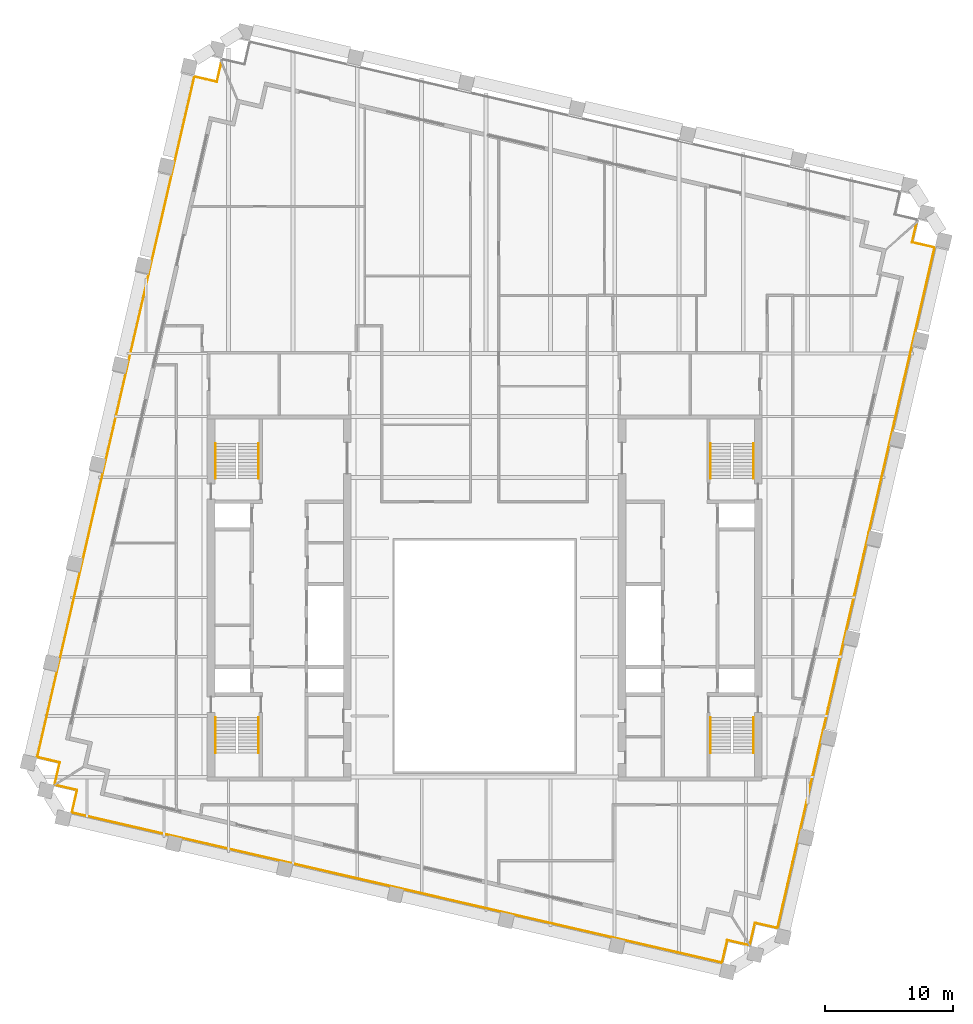
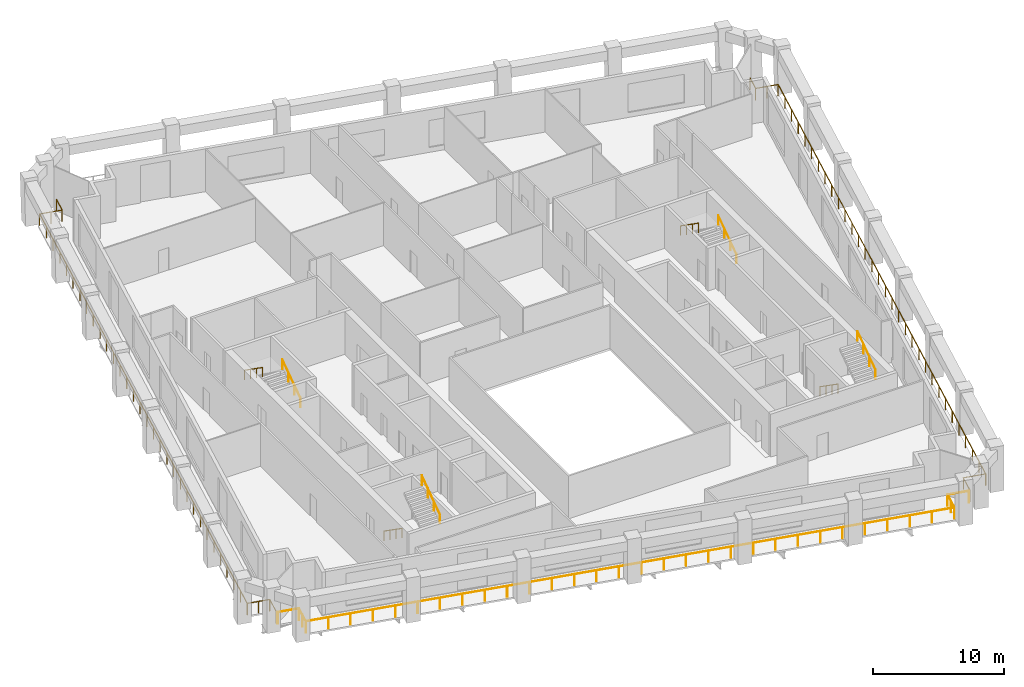
# One storey, part 10 of 11: 11 railings.
"""IFC4 building model written with IfcOpenShell, lengths in metres."""

from ifc_helpers import new_model, si_unit, direction, frame, origin, origin_2d, place, context, subcontext, project, spatial, circle, extrude, material, type_object, element, save


model = new_model("IFC4")

# Units and contexts
model_context = context("Model", 3, precision=1e-05, world=origin(), true_north=direction((0.0, 1.0)))
body_context = subcontext(model_context, "Body", "Model", "MODEL_VIEW")
ifc_project = project(units=[si_unit("LENGTHUNIT", "METRE"), si_unit("AREAUNIT", "SQUARE_METRE"), si_unit("VOLUMEUNIT", "CUBIC_METRE"), si_unit("PLANEANGLEUNIT", "RADIAN"), si_unit("MASSUNIT", "GRAM", prefix="KILO")], contexts=[model_context])

# Site, building, storey
site_placement = place(None, origin())
site = spatial("IfcSite", under=ifc_project, at=site_placement, CompositionType="ELEMENT")
building_placement = place(site_placement, origin())
building = spatial("IfcBuilding", under=site, at=building_placement, Name="Ogive Exchange Tower", CompositionType="ELEMENT")
storey_placement = place(building_placement, frame((0.0, 0.0, 247.199951171875)))
storey = spatial("IfcBuildingStorey", under=building, at=storey_placement, Name="L53", CompositionType="ELEMENT", Elevation=247.199951171875)

# Railings
ifc_material_1 = material(Name="Stainless steel 316", Category="steel")
railing_type_1 = type_object("IfcRailingType", Name="Guard 1100 stainless steel and glass", PredefinedType="GUARDRAIL", material=ifc_material_1)
railing_1_placement = place(storey_placement, frame((20.560546875, -15.527099609375, -0.050048828125)))
element("IfcRailing", 1, at=railing_1_placement, inside=storey, type_object=railing_type_1, Name="Loggia guard 1", PredefinedType="GUARDRAIL", context=body_context, shape_type="SweptSolid", body=[
    extrude(circle(Radius=0.02392578125, at=origin_2d()), frame((0.0, 0.0, 1.076171875), z_axis=(-0.974396013545, 0.224838628327, 0.0), x_axis=(-0.224838628327, -0.974396013545, 0.0)), (0.0, 0.0, 1.0), 1.7080078125),
    extrude(circle(Radius=0.02392578125, at=origin_2d()), frame((-1.664306640625, 0.384033203125, 1.076171875), z_axis=(-0.224879318197, -0.974386623598, 0.0), x_axis=(0.974386623598, -0.224879318197, 0.0)), (0.0, 0.0, 1.0), 1.800048828125),
    extrude(circle(Radius=0.02392578125, at=origin_2d()), frame((-2.069091796875, -1.369873046875, 1.076171875), z_axis=(-0.974370126852, 0.224950785504, 0.0), x_axis=(-0.224950785504, -0.974370126852, 0.0)), (0.0, 0.0, 1.0), 51.960205078125),
    extrude(circle(Radius=0.02392578125, at=origin_2d()), frame((-52.697509765625, 10.318603515625, 1.076171875), z_axis=(0.225008086135, 0.974356896201, 0.0), x_axis=(-0.974356896201, 0.225008086135, 0.0)), (0.0, 0.0, 1.0), 1.800048828125),
    extrude(circle(Radius=0.02392578125, at=origin_2d()), frame((-52.29248046875, 12.072509765625, 1.076171875), z_axis=(-0.974364690374, 0.224974332206, 0.0), x_axis=(-0.224974332206, -0.974364690374, 0.0)), (0.0, 0.0, 1.0), 1.7080078125),
    extrude(circle(Radius=0.02099609375, at=origin_2d()), origin(), (0.0, 0.0, 1.0), 1.052001953125),
    extrude(circle(Radius=0.02099609375, at=origin_2d()), frame((-1.664306640625, 0.384033203125, 0.0)), (0.0, 0.0, 1.0), 1.052001953125),
    extrude(circle(Radius=0.02099609375, at=origin_2d()), frame((-1.86669921875, -0.492919921875, 0.0)), (0.0, 0.0, 1.0), 1.052001953125),
    extrude(circle(Radius=0.02099609375, at=origin_2d()), frame((-2.069091796875, -1.369873046875, 0.0)), (0.0, 0.0, 1.0), 1.052001953125),
    extrude(circle(Radius=0.02099609375, at=origin_2d()), frame((-3.81494140625, -0.966796875, 0.0)), (0.0, 0.0, 1.0), 1.052001953125),
    extrude(circle(Radius=0.02099609375, at=origin_2d()), frame((-5.560791015625, -0.563720703125, 0.0)), (0.0, 0.0, 1.0), 1.052001953125),
    extrude(circle(Radius=0.02099609375, at=origin_2d()), frame((-7.306396484375, -0.16064453125, 0.0)), (0.0, 0.0, 1.0), 1.052001953125),
    extrude(circle(Radius=0.02099609375, at=origin_2d()), frame((-9.05224609375, 0.242431640625, 0.0)), (0.0, 0.0, 1.0), 1.052001953125),
    extrude(circle(Radius=0.02099609375, at=origin_2d()), frame((-10.798095703125, 0.645263671875, 0.0)), (0.0, 0.0, 1.0), 1.052001953125),
    extrude(circle(Radius=0.02099609375, at=origin_2d()), frame((-12.5439453125, 1.04833984375, 0.0)), (0.0, 0.0, 1.0), 1.052001953125),
    extrude(circle(Radius=0.02099609375, at=origin_2d()), frame((-14.289794921875, 1.451416015625, 0.0)), (0.0, 0.0, 1.0), 1.052001953125),
    extrude(circle(Radius=0.02099609375, at=origin_2d()), frame((-16.03564453125, 1.8544921875, 0.0)), (0.0, 0.0, 1.0), 1.052001953125),
    extrude(circle(Radius=0.02099609375, at=origin_2d()), frame((-17.78125, 2.257568359375, 0.0)), (0.0, 0.0, 1.0), 1.052001953125),
    extrude(circle(Radius=0.02099609375, at=origin_2d()), frame((-19.527099609375, 2.66064453125, 0.0)), (0.0, 0.0, 1.0), 1.052001953125),
    extrude(circle(Radius=0.02099609375, at=origin_2d()), frame((-21.27294921875, 3.063720703125, 0.0)), (0.0, 0.0, 1.0), 1.052001953125),
    extrude(circle(Radius=0.02099609375, at=origin_2d()), frame((-23.018798828125, 3.466796875, 0.0)), (0.0, 0.0, 1.0), 1.052001953125),
    extrude(circle(Radius=0.02099609375, at=origin_2d()), frame((-24.7646484375, 3.869873046875, 0.0)), (0.0, 0.0, 1.0), 1.052001953125),
    extrude(circle(Radius=0.02099609375, at=origin_2d()), frame((-26.510498046875, 4.27294921875, 0.0)), (0.0, 0.0, 1.0), 1.052001953125),
    extrude(circle(Radius=0.02099609375, at=origin_2d()), frame((-28.256103515625, 4.67578125, 0.0)), (0.0, 0.0, 1.0), 1.052001953125),
    extrude(circle(Radius=0.02099609375, at=origin_2d()), frame((-30.001953125, 5.078857421875, 0.0)), (0.0, 0.0, 1.0), 1.052001953125),
    extrude(circle(Radius=0.02099609375, at=origin_2d()), frame((-31.747802734375, 5.48193359375, 0.0)), (0.0, 0.0, 1.0), 1.052001953125),
    extrude(circle(Radius=0.02099609375, at=origin_2d()), frame((-33.49365234375, 5.885009765625, 0.0)), (0.0, 0.0, 1.0), 1.052001953125),
    extrude(circle(Radius=0.02099609375, at=origin_2d()), frame((-35.239501953125, 6.2880859375, 0.0)), (0.0, 0.0, 1.0), 1.052001953125),
    extrude(circle(Radius=0.02099609375, at=origin_2d()), frame((-36.9853515625, 6.691162109375, 0.0)), (0.0, 0.0, 1.0), 1.052001953125),
    extrude(circle(Radius=0.02099609375, at=origin_2d()), frame((-38.73095703125, 7.09423828125, 0.0)), (0.0, 0.0, 1.0), 1.052001953125),
    extrude(circle(Radius=0.02099609375, at=origin_2d()), frame((-40.476806640625, 7.497314453125, 0.0)), (0.0, 0.0, 1.0), 1.052001953125),
    extrude(circle(Radius=0.02099609375, at=origin_2d()), frame((-42.22265625, 7.900390625, 0.0)), (0.0, 0.0, 1.0), 1.052001953125),
    extrude(circle(Radius=0.02099609375, at=origin_2d()), frame((-43.968505859375, 8.303466796875, 0.0)), (0.0, 0.0, 1.0), 1.052001953125),
    extrude(circle(Radius=0.02099609375, at=origin_2d()), frame((-45.71435546875, 8.706298828125, 0.0)), (0.0, 0.0, 1.0), 1.052001953125),
    extrude(circle(Radius=0.02099609375, at=origin_2d()), frame((-47.460205078125, 9.109375, 0.0)), (0.0, 0.0, 1.0), 1.052001953125),
    extrude(circle(Radius=0.02099609375, at=origin_2d()), frame((-49.205810546875, 9.512451171875, 0.0)), (0.0, 0.0, 1.0), 1.052001953125),
    extrude(circle(Radius=0.02099609375, at=origin_2d()), frame((-50.95166015625, 9.91552734375, 0.0)), (0.0, 0.0, 1.0), 1.052001953125),
    extrude(circle(Radius=0.02099609375, at=origin_2d()), frame((-52.697509765625, 10.318603515625, 0.0)), (0.0, 0.0, 1.0), 1.052001953125),
    extrude(circle(Radius=0.02099609375, at=origin_2d()), frame((-52.4951171875, 11.195556640625, 0.0)), (0.0, 0.0, 1.0), 1.052001953125),
    extrude(circle(Radius=0.02099609375, at=origin_2d()), frame((-52.29248046875, 12.072509765625, 0.0)), (0.0, 0.0, 1.0), 1.052001953125),
    extrude(circle(Radius=0.02099609375, at=origin_2d()), frame((-53.956787109375, 12.456787109375, 0.0)), (0.0, 0.0, 1.0), 1.052001953125),
])
railing_2_placement = place(storey_placement, frame((-33.465087890625, -2.960205078125, -0.050048828125)))
element("IfcRailing", 2, at=railing_2_placement, inside=storey, type_object=railing_type_1, Name="Loggia guard 2", PredefinedType="GUARDRAIL", context=body_context, shape_type="SweptSolid", body=[
    extrude(circle(Radius=0.02392578125, at=origin_2d()), frame((0.0, 0.0, 1.076171875), z_axis=(0.224974332206, 0.974364690374, 0.0), x_axis=(-0.974364690374, 0.224974332206, 0.0)), (0.0, 0.0, 1.0), 1.7080078125),
    extrude(circle(Radius=0.02392578125, at=origin_2d()), frame((0.38427734375, 1.664306640625, 1.076171875), z_axis=(-0.974356896201, 0.225008086135, 0.0), x_axis=(-0.225008086135, -0.974356896201, 0.0)), (0.0, 0.0, 1.0), 1.800048828125),
    extrude(circle(Radius=0.02392578125, at=origin_2d()), frame((-1.36962890625, 2.0693359375, 1.076171875), z_axis=(0.224949006844, 0.974370537486, 0.0), x_axis=(-0.974370537486, 0.224949006844, 0.0)), (0.0, 0.0, 1.0), 54.38720703125),
    extrude(circle(Radius=0.02392578125, at=origin_2d()), frame((10.86474609375, 55.062744140625, 1.076171875), z_axis=(0.974356896201, -0.225008086135, 0.0), x_axis=(0.225008086135, 0.974356896201, 0.0)), (0.0, 0.0, 1.0), 1.800048828125),
    extrude(circle(Radius=0.02392578125, at=origin_2d()), frame((12.61865234375, 54.65771484375, 1.076171875), z_axis=(0.224895925573, 0.974382790622, 0.0), x_axis=(-0.974382790622, 0.224895925573, 0.0)), (0.0, 0.0, 1.0), 1.46875),
    extrude(circle(Radius=0.02099609375, at=origin_2d()), origin(), (0.0, 0.0, 1.0), 1.052001953125),
    extrude(circle(Radius=0.02099609375, at=origin_2d()), frame((0.38427734375, 1.664306640625, 0.0)), (0.0, 0.0, 1.0), 1.052001953125),
    extrude(circle(Radius=0.02099609375, at=origin_2d()), frame((-0.49267578125, 1.86669921875, 0.0)), (0.0, 0.0, 1.0), 1.052001953125),
    extrude(circle(Radius=0.02099609375, at=origin_2d()), frame((-1.36962890625, 2.0693359375, 0.0)), (0.0, 0.0, 1.0), 1.052001953125),
    extrude(circle(Radius=0.02099609375, at=origin_2d()), frame((-0.974853515625, 3.77880859375, 0.0)), (0.0, 0.0, 1.0), 1.052001953125),
    extrude(circle(Radius=0.02099609375, at=origin_2d()), frame((-0.580322265625, 5.48828125, 0.0)), (0.0, 0.0, 1.0), 1.052001953125),
    extrude(circle(Radius=0.02099609375, at=origin_2d()), frame((-0.185546875, 7.19775390625, 0.0)), (0.0, 0.0, 1.0), 1.052001953125),
    extrude(circle(Radius=0.02099609375, at=origin_2d()), frame((0.208984375, 8.9072265625, 0.0)), (0.0, 0.0, 1.0), 1.052001953125),
    extrude(circle(Radius=0.02099609375, at=origin_2d()), frame((0.603759765625, 10.61669921875, 0.0)), (0.0, 0.0, 1.0), 1.052001953125),
    extrude(circle(Radius=0.02099609375, at=origin_2d()), frame((0.998291015625, 12.326171875, 0.0)), (0.0, 0.0, 1.0), 1.052001953125),
    extrude(circle(Radius=0.02099609375, at=origin_2d()), frame((1.39306640625, 14.03564453125, 0.0)), (0.0, 0.0, 1.0), 1.052001953125),
    extrude(circle(Radius=0.02099609375, at=origin_2d()), frame((1.78759765625, 15.7451171875, 0.0)), (0.0, 0.0, 1.0), 1.052001953125),
    extrude(circle(Radius=0.02099609375, at=origin_2d()), frame((2.182373046875, 17.45458984375, 0.0)), (0.0, 0.0, 1.0), 1.052001953125),
    extrude(circle(Radius=0.02099609375, at=origin_2d()), frame((2.576904296875, 19.1640625, 0.0)), (0.0, 0.0, 1.0), 1.052001953125),
    extrude(circle(Radius=0.02099609375, at=origin_2d()), frame((2.9716796875, 20.87353515625, 0.0)), (0.0, 0.0, 1.0), 1.052001953125),
    extrude(circle(Radius=0.02099609375, at=origin_2d()), frame((3.3662109375, 22.5830078125, 0.0)), (0.0, 0.0, 1.0), 1.052001953125),
    extrude(circle(Radius=0.02099609375, at=origin_2d()), frame((3.760986328125, 24.29248046875, 0.0)), (0.0, 0.0, 1.0), 1.052001953125),
    extrude(circle(Radius=0.02099609375, at=origin_2d()), frame((4.155517578125, 26.001953125, 0.0)), (0.0, 0.0, 1.0), 1.052001953125),
    extrude(circle(Radius=0.02099609375, at=origin_2d()), frame((4.55029296875, 27.71142578125, 0.0)), (0.0, 0.0, 1.0), 1.052001953125),
    extrude(circle(Radius=0.02099609375, at=origin_2d()), frame((4.94482421875, 29.420654296875, 0.0)), (0.0, 0.0, 1.0), 1.052001953125),
    extrude(circle(Radius=0.02099609375, at=origin_2d()), frame((5.339599609375, 31.130126953125, 0.0)), (0.0, 0.0, 1.0), 1.052001953125),
    extrude(circle(Radius=0.02099609375, at=origin_2d()), frame((5.734130859375, 32.839599609375, 0.0)), (0.0, 0.0, 1.0), 1.052001953125),
    extrude(circle(Radius=0.02099609375, at=origin_2d()), frame((6.12890625, 34.549072265625, 0.0)), (0.0, 0.0, 1.0), 1.052001953125),
    extrude(circle(Radius=0.02099609375, at=origin_2d()), frame((6.5234375, 36.258544921875, 0.0)), (0.0, 0.0, 1.0), 1.052001953125),
    extrude(circle(Radius=0.02099609375, at=origin_2d()), frame((6.918212890625, 37.968017578125, 0.0)), (0.0, 0.0, 1.0), 1.052001953125),
    extrude(circle(Radius=0.02099609375, at=origin_2d()), frame((7.312744140625, 39.677490234375, 0.0)), (0.0, 0.0, 1.0), 1.052001953125),
    extrude(circle(Radius=0.02099609375, at=origin_2d()), frame((7.70751953125, 41.386962890625, 0.0)), (0.0, 0.0, 1.0), 1.052001953125),
    extrude(circle(Radius=0.02099609375, at=origin_2d()), frame((8.10205078125, 43.096435546875, 0.0)), (0.0, 0.0, 1.0), 1.052001953125),
    extrude(circle(Radius=0.02099609375, at=origin_2d()), frame((8.496826171875, 44.805908203125, 0.0)), (0.0, 0.0, 1.0), 1.052001953125),
    extrude(circle(Radius=0.02099609375, at=origin_2d()), frame((8.891357421875, 46.515380859375, 0.0)), (0.0, 0.0, 1.0), 1.052001953125),
    extrude(circle(Radius=0.02099609375, at=origin_2d()), frame((9.2861328125, 48.224853515625, 0.0)), (0.0, 0.0, 1.0), 1.052001953125),
    extrude(circle(Radius=0.02099609375, at=origin_2d()), frame((9.6806640625, 49.934326171875, 0.0)), (0.0, 0.0, 1.0), 1.052001953125),
    extrude(circle(Radius=0.02099609375, at=origin_2d()), frame((10.075439453125, 51.643798828125, 0.0)), (0.0, 0.0, 1.0), 1.052001953125),
    extrude(circle(Radius=0.02099609375, at=origin_2d()), frame((10.469970703125, 53.353271484375, 0.0)), (0.0, 0.0, 1.0), 1.052001953125),
    extrude(circle(Radius=0.02099609375, at=origin_2d()), frame((10.86474609375, 55.062744140625, 0.0)), (0.0, 0.0, 1.0), 1.052001953125),
    extrude(circle(Radius=0.02099609375, at=origin_2d()), frame((11.74169921875, 54.8603515625, 0.0)), (0.0, 0.0, 1.0), 1.052001953125),
    extrude(circle(Radius=0.02099609375, at=origin_2d()), frame((12.61865234375, 54.65771484375, 0.0)), (0.0, 0.0, 1.0), 1.052001953125),
    extrude(circle(Radius=0.02099609375, at=origin_2d()), frame((12.948974609375, 56.0888671875, 0.0)), (0.0, 0.0, 1.0), 1.052001953125),
])
railing_3_placement = place(storey_placement, frame((33.619873046875, 40.63037109375, -0.050048828125)))
element("IfcRailing", 3, at=railing_3_placement, inside=storey, type_object=railing_type_1, Name="Loggia guard 4", PredefinedType="GUARDRAIL", context=body_context, shape_type="SweptSolid", body=[
    extrude(circle(Radius=0.02392578125, at=origin_2d()), frame((0.0, 0.0, 1.076171875), z_axis=(-0.224895925573, -0.974382790622, 0.0), x_axis=(0.974382790622, -0.224895925573, 0.0)), (0.0, 0.0, 1.0), 1.46875),
    extrude(circle(Radius=0.02392578125, at=origin_2d()), frame((-0.330322265625, -1.43115234375, 1.076171875), z_axis=(0.974386623598, -0.224879318197, 0.0), x_axis=(0.224879318197, 0.974386623598, 0.0)), (0.0, 0.0, 1.0), 1.800048828125),
    extrude(circle(Radius=0.02392578125, at=origin_2d()), frame((1.423583984375, -1.8359375, 1.076171875), z_axis=(-0.224953268613, -0.974369553578, 0.0), x_axis=(0.974369553578, -0.224953268613, 0.0)), (0.0, 0.0, 1.0), 54.387451171875),
    extrude(circle(Radius=0.02392578125, at=origin_2d()), frame((-10.81103515625, -54.829345703125, 1.076171875), z_axis=(-0.974379763188, 0.224909041816, 0.0), x_axis=(-0.224909041816, -0.974379763188, 0.0)), (0.0, 0.0, 1.0), 1.7998046875),
    extrude(circle(Radius=0.02392578125, at=origin_2d()), frame((-12.564697265625, -54.424560546875, 1.076171875), z_axis=(-0.224974332206, -0.974364690374, 0.0), x_axis=(0.974364690374, -0.224974332206, 0.0)), (0.0, 0.0, 1.0), 1.7080078125),
    extrude(circle(Radius=0.02099609375, at=origin_2d()), origin(), (0.0, 0.0, 1.0), 1.052001953125),
    extrude(circle(Radius=0.02099609375, at=origin_2d()), frame((-0.330322265625, -1.43115234375, 0.0)), (0.0, 0.0, 1.0), 1.052001953125),
    extrude(circle(Radius=0.02099609375, at=origin_2d()), frame((0.546630859375, -1.633544921875, 0.0)), (0.0, 0.0, 1.0), 1.052001953125),
    extrude(circle(Radius=0.02099609375, at=origin_2d()), frame((1.423583984375, -1.8359375, 0.0)), (0.0, 0.0, 1.0), 1.052001953125),
    extrude(circle(Radius=0.02099609375, at=origin_2d()), frame((1.02880859375, -3.54541015625, 0.0)), (0.0, 0.0, 1.0), 1.052001953125),
    extrude(circle(Radius=0.02099609375, at=origin_2d()), frame((0.63427734375, -5.2548828125, 0.0)), (0.0, 0.0, 1.0), 1.052001953125),
    extrude(circle(Radius=0.02099609375, at=origin_2d()), frame((0.239501953125, -6.96435546875, 0.0)), (0.0, 0.0, 1.0), 1.052001953125),
    extrude(circle(Radius=0.02099609375, at=origin_2d()), frame((-0.155029296875, -8.673828125, 0.0)), (0.0, 0.0, 1.0), 1.052001953125),
    extrude(circle(Radius=0.02099609375, at=origin_2d()), frame((-0.5498046875, -10.38330078125, 0.0)), (0.0, 0.0, 1.0), 1.052001953125),
    extrude(circle(Radius=0.02099609375, at=origin_2d()), frame((-0.9443359375, -12.0927734375, 0.0)), (0.0, 0.0, 1.0), 1.052001953125),
    extrude(circle(Radius=0.02099609375, at=origin_2d()), frame((-1.339111328125, -13.80224609375, 0.0)), (0.0, 0.0, 1.0), 1.052001953125),
    extrude(circle(Radius=0.02099609375, at=origin_2d()), frame((-1.733642578125, -15.51171875, 0.0)), (0.0, 0.0, 1.0), 1.052001953125),
    extrude(circle(Radius=0.02099609375, at=origin_2d()), frame((-2.12841796875, -17.22119140625, 0.0)), (0.0, 0.0, 1.0), 1.052001953125),
    extrude(circle(Radius=0.02099609375, at=origin_2d()), frame((-2.52294921875, -18.9306640625, 0.0)), (0.0, 0.0, 1.0), 1.052001953125),
    extrude(circle(Radius=0.02099609375, at=origin_2d()), frame((-2.917724609375, -20.64013671875, 0.0)), (0.0, 0.0, 1.0), 1.052001953125),
    extrude(circle(Radius=0.02099609375, at=origin_2d()), frame((-3.3125, -22.349609375, 0.0)), (0.0, 0.0, 1.0), 1.052001953125),
    extrude(circle(Radius=0.02099609375, at=origin_2d()), frame((-3.70703125, -24.05908203125, 0.0)), (0.0, 0.0, 1.0), 1.052001953125),
    extrude(circle(Radius=0.02099609375, at=origin_2d()), frame((-4.101806640625, -25.7685546875, 0.0)), (0.0, 0.0, 1.0), 1.052001953125),
    extrude(circle(Radius=0.02099609375, at=origin_2d()), frame((-4.496337890625, -27.47802734375, 0.0)), (0.0, 0.0, 1.0), 1.052001953125),
    extrude(circle(Radius=0.02099609375, at=origin_2d()), frame((-4.89111328125, -29.187255859375, 0.0)), (0.0, 0.0, 1.0), 1.052001953125),
    extrude(circle(Radius=0.02099609375, at=origin_2d()), frame((-5.28564453125, -30.896728515625, 0.0)), (0.0, 0.0, 1.0), 1.052001953125),
    extrude(circle(Radius=0.02099609375, at=origin_2d()), frame((-5.680419921875, -32.606201171875, 0.0)), (0.0, 0.0, 1.0), 1.052001953125),
    extrude(circle(Radius=0.02099609375, at=origin_2d()), frame((-6.074951171875, -34.315673828125, 0.0)), (0.0, 0.0, 1.0), 1.052001953125),
    extrude(circle(Radius=0.02099609375, at=origin_2d()), frame((-6.4697265625, -36.025146484375, 0.0)), (0.0, 0.0, 1.0), 1.052001953125),
    extrude(circle(Radius=0.02099609375, at=origin_2d()), frame((-6.864501953125, -37.734619140625, 0.0)), (0.0, 0.0, 1.0), 1.052001953125),
    extrude(circle(Radius=0.02099609375, at=origin_2d()), frame((-7.259033203125, -39.444091796875, 0.0)), (0.0, 0.0, 1.0), 1.052001953125),
    extrude(circle(Radius=0.02099609375, at=origin_2d()), frame((-7.65380859375, -41.153564453125, 0.0)), (0.0, 0.0, 1.0), 1.052001953125),
    extrude(circle(Radius=0.02099609375, at=origin_2d()), frame((-8.04833984375, -42.863037109375, 0.0)), (0.0, 0.0, 1.0), 1.052001953125),
    extrude(circle(Radius=0.02099609375, at=origin_2d()), frame((-8.443115234375, -44.572509765625, 0.0)), (0.0, 0.0, 1.0), 1.052001953125),
    extrude(circle(Radius=0.02099609375, at=origin_2d()), frame((-8.837646484375, -46.281982421875, 0.0)), (0.0, 0.0, 1.0), 1.052001953125),
    extrude(circle(Radius=0.02099609375, at=origin_2d()), frame((-9.232421875, -47.991455078125, 0.0)), (0.0, 0.0, 1.0), 1.052001953125),
    extrude(circle(Radius=0.02099609375, at=origin_2d()), frame((-9.626953125, -49.700927734375, 0.0)), (0.0, 0.0, 1.0), 1.052001953125),
    extrude(circle(Radius=0.02099609375, at=origin_2d()), frame((-10.021728515625, -51.410400390625, 0.0)), (0.0, 0.0, 1.0), 1.052001953125),
    extrude(circle(Radius=0.02099609375, at=origin_2d()), frame((-10.416259765625, -53.119873046875, 0.0)), (0.0, 0.0, 1.0), 1.052001953125),
    extrude(circle(Radius=0.02099609375, at=origin_2d()), frame((-10.81103515625, -54.829345703125, 0.0)), (0.0, 0.0, 1.0), 1.052001953125),
    extrude(circle(Radius=0.02099609375, at=origin_2d()), frame((-12.564697265625, -54.424560546875, 0.0)), (0.0, 0.0, 1.0), 1.052001953125),
    extrude(circle(Radius=0.02099609375, at=origin_2d()), frame((-12.948974609375, -56.0888671875, 0.0)), (0.0, 0.0, 1.0), 1.052001953125),
])
ifc_material_2 = material(Name="Stainless steel", Category="steel")
railing_type_2 = type_object("IfcRailingType", Name="Stair handrail 900", PredefinedType="HANDRAIL", material=ifc_material_2)
railing_4_placement = place(storey_placement, frame((-20.949951171875, 2.199951171875, 0.175048828125)))
element("IfcRailing", 4, at=railing_4_placement, inside=storey, type_object=railing_type_2, Name="L53 ST1 stair handrail 1", PredefinedType="HANDRAIL", context=body_context, shape_type="SweptSolid", body=[
    extrude(circle(Radius=0.02392578125, at=origin_2d()), frame((0.0, 0.0, 0.8759765625), z_axis=(0.0, -0.819225086817, 0.573472106672), x_axis=(1.0, 0.0, 0.0)), (0.0, 0.0, 1.0), 3.35693359375),
    extrude(circle(Radius=0.02099609375, at=origin_2d()), origin(), (0.0, 0.0, 1.0), 0.851806640625),
    extrude(circle(Radius=0.02099609375, at=origin_2d()), frame((0.0, -0.916748046875, 0.6416015625)), (0.0, 0.0, 1.0), 0.851806640625),
    extrude(circle(Radius=0.02099609375, at=origin_2d()), frame((0.0, -1.833251953125, 1.283447265625)), (0.0, 0.0, 1.0), 0.851806640625),
    extrude(circle(Radius=0.02099609375, at=origin_2d()), frame((0.0, -2.75, 1.925048828125)), (0.0, 0.0, 1.0), 0.851806640625),
])
railing_5_placement = place(storey_placement, frame((-17.60009765625, -0.550048828125, 2.275146484375)))
element("IfcRailing", 5, at=railing_5_placement, inside=storey, type_object=railing_type_2, Name="L53 ST1 stair handrail 2", PredefinedType="HANDRAIL", context=body_context, shape_type="SweptSolid", body=[
    extrude(circle(Radius=0.02392578125, at=origin_2d()), frame((0.0, 0.0, 0.8759765625), z_axis=(0.0, 0.819259255306, 0.573423292687), x_axis=(-1.0, 0.0, 0.0)), (0.0, 0.0, 1.0), 3.356689453125),
    extrude(circle(Radius=0.02099609375, at=origin_2d()), origin(), (0.0, 0.0, 1.0), 0.851806640625),
    extrude(circle(Radius=0.02099609375, at=origin_2d()), frame((0.0, 0.916748046875, 0.6416015625)), (0.0, 0.0, 1.0), 0.851806640625),
    extrude(circle(Radius=0.02099609375, at=origin_2d()), frame((0.0, 1.833251953125, 1.283203125)), (0.0, 0.0, 1.0), 0.851806640625),
    extrude(circle(Radius=0.02099609375, at=origin_2d()), frame((0.0, 2.75, 1.9248046875)), (0.0, 0.0, 1.0), 0.851806640625),
])
railing_6_placement = place(storey_placement, frame((-17.60009765625, 20.800048828125, 0.175048828125)))
element("IfcRailing", 6, at=railing_6_placement, inside=storey, type_object=railing_type_2, Name="L53 ST2 stair handrail 1", PredefinedType="HANDRAIL", context=body_context, shape_type="SweptSolid", body=[
    extrude(circle(Radius=0.02392578125, at=origin_2d()), frame((0.0, 0.0, 0.8759765625), z_axis=(0.0, 0.819225086817, 0.573472106672), x_axis=(-1.0, 0.0, 0.0)), (0.0, 0.0, 1.0), 3.35693359375),
    extrude(circle(Radius=0.02099609375, at=origin_2d()), origin(), (0.0, 0.0, 1.0), 0.851806640625),
    extrude(circle(Radius=0.02099609375, at=origin_2d()), frame((0.0, 0.916748046875, 0.6416015625)), (0.0, 0.0, 1.0), 0.851806640625),
    extrude(circle(Radius=0.02099609375, at=origin_2d()), frame((0.0, 1.833251953125, 1.283447265625)), (0.0, 0.0, 1.0), 0.851806640625),
    extrude(circle(Radius=0.02099609375, at=origin_2d()), frame((0.0, 2.75, 1.925048828125)), (0.0, 0.0, 1.0), 0.851806640625),
])
railing_7_placement = place(storey_placement, frame((-20.949951171875, 23.550048828125, 2.275146484375)))
element("IfcRailing", 7, at=railing_7_placement, inside=storey, type_object=railing_type_2, Name="L53 ST2 stair handrail 2", PredefinedType="HANDRAIL", context=body_context, shape_type="SweptSolid", body=[
    extrude(circle(Radius=0.02392578125, at=origin_2d()), frame((0.0, 0.0, 0.8759765625), z_axis=(0.0, -0.819259255306, 0.573423292687), x_axis=(1.0, 0.0, 0.0)), (0.0, 0.0, 1.0), 3.356689453125),
    extrude(circle(Radius=0.02099609375, at=origin_2d()), origin(), (0.0, 0.0, 1.0), 0.851806640625),
    extrude(circle(Radius=0.02099609375, at=origin_2d()), frame((0.0, -0.916748046875, 0.6416015625)), (0.0, 0.0, 1.0), 0.851806640625),
    extrude(circle(Radius=0.02099609375, at=origin_2d()), frame((0.0, -1.833251953125, 1.283203125)), (0.0, 0.0, 1.0), 0.851806640625),
    extrude(circle(Radius=0.02099609375, at=origin_2d()), frame((0.0, -2.75, 1.9248046875)), (0.0, 0.0, 1.0), 0.851806640625),
])
railing_8_placement = place(storey_placement, frame((17.60009765625, 2.199951171875, 0.175048828125)))
element("IfcRailing", 8, at=railing_8_placement, inside=storey, type_object=railing_type_2, Name="L53 ST3 stair handrail 1", PredefinedType="HANDRAIL", context=body_context, shape_type="SweptSolid", body=[
    extrude(circle(Radius=0.02392578125, at=origin_2d()), frame((0.0, 0.0, 0.8759765625), z_axis=(0.0, -0.819225086817, 0.573472106672), x_axis=(1.0, 0.0, 0.0)), (0.0, 0.0, 1.0), 3.35693359375),
    extrude(circle(Radius=0.02099609375, at=origin_2d()), origin(), (0.0, 0.0, 1.0), 0.851806640625),
    extrude(circle(Radius=0.02099609375, at=origin_2d()), frame((0.0, -0.916748046875, 0.6416015625)), (0.0, 0.0, 1.0), 0.851806640625),
    extrude(circle(Radius=0.02099609375, at=origin_2d()), frame((0.0, -1.833251953125, 1.283447265625)), (0.0, 0.0, 1.0), 0.851806640625),
    extrude(circle(Radius=0.02099609375, at=origin_2d()), frame((0.0, -2.75, 1.925048828125)), (0.0, 0.0, 1.0), 0.851806640625),
])
railing_9_placement = place(storey_placement, frame((20.949951171875, -0.550048828125, 2.275146484375)))
element("IfcRailing", 9, at=railing_9_placement, inside=storey, type_object=railing_type_2, Name="L53 ST3 stair handrail 2", PredefinedType="HANDRAIL", context=body_context, shape_type="SweptSolid", body=[
    extrude(circle(Radius=0.02392578125, at=origin_2d()), frame((0.0, 0.0, 0.8759765625), z_axis=(0.0, 0.819259255306, 0.573423292687), x_axis=(-1.0, 0.0, 0.0)), (0.0, 0.0, 1.0), 3.356689453125),
    extrude(circle(Radius=0.02099609375, at=origin_2d()), origin(), (0.0, 0.0, 1.0), 0.851806640625),
    extrude(circle(Radius=0.02099609375, at=origin_2d()), frame((0.0, 0.916748046875, 0.6416015625)), (0.0, 0.0, 1.0), 0.851806640625),
    extrude(circle(Radius=0.02099609375, at=origin_2d()), frame((0.0, 1.833251953125, 1.283203125)), (0.0, 0.0, 1.0), 0.851806640625),
    extrude(circle(Radius=0.02099609375, at=origin_2d()), frame((0.0, 2.75, 1.9248046875)), (0.0, 0.0, 1.0), 0.851806640625),
])
railing_10_placement = place(storey_placement, frame((20.949951171875, 20.800048828125, 0.175048828125)))
element("IfcRailing", 10, at=railing_10_placement, inside=storey, type_object=railing_type_2, Name="L53 ST4 stair handrail 1", PredefinedType="HANDRAIL", context=body_context, shape_type="SweptSolid", body=[
    extrude(circle(Radius=0.02392578125, at=origin_2d()), frame((0.0, 0.0, 0.8759765625), z_axis=(0.0, 0.819225086817, 0.573472106672), x_axis=(-1.0, 0.0, 0.0)), (0.0, 0.0, 1.0), 3.35693359375),
    extrude(circle(Radius=0.02099609375, at=origin_2d()), origin(), (0.0, 0.0, 1.0), 0.851806640625),
    extrude(circle(Radius=0.02099609375, at=origin_2d()), frame((0.0, 0.916748046875, 0.6416015625)), (0.0, 0.0, 1.0), 0.851806640625),
    extrude(circle(Radius=0.02099609375, at=origin_2d()), frame((0.0, 1.833251953125, 1.283447265625)), (0.0, 0.0, 1.0), 0.851806640625),
    extrude(circle(Radius=0.02099609375, at=origin_2d()), frame((0.0, 2.75, 1.925048828125)), (0.0, 0.0, 1.0), 0.851806640625),
])
railing_11_placement = place(storey_placement, frame((17.60009765625, 23.550048828125, 2.275146484375)))
element("IfcRailing", 11, at=railing_11_placement, inside=storey, type_object=railing_type_2, Name="L53 ST4 stair handrail 2", PredefinedType="HANDRAIL", context=body_context, shape_type="SweptSolid", body=[
    extrude(circle(Radius=0.02392578125, at=origin_2d()), frame((0.0, 0.0, 0.8759765625), z_axis=(0.0, -0.819259255306, 0.573423292687), x_axis=(1.0, 0.0, 0.0)), (0.0, 0.0, 1.0), 3.356689453125),
    extrude(circle(Radius=0.02099609375, at=origin_2d()), origin(), (0.0, 0.0, 1.0), 0.851806640625),
    extrude(circle(Radius=0.02099609375, at=origin_2d()), frame((0.0, -0.916748046875, 0.6416015625)), (0.0, 0.0, 1.0), 0.851806640625),
    extrude(circle(Radius=0.02099609375, at=origin_2d()), frame((0.0, -1.833251953125, 1.283203125)), (0.0, 0.0, 1.0), 0.851806640625),
    extrude(circle(Radius=0.02099609375, at=origin_2d()), frame((0.0, -2.75, 1.9248046875)), (0.0, 0.0, 1.0), 0.851806640625),
])

save(model, "model.ifc")
